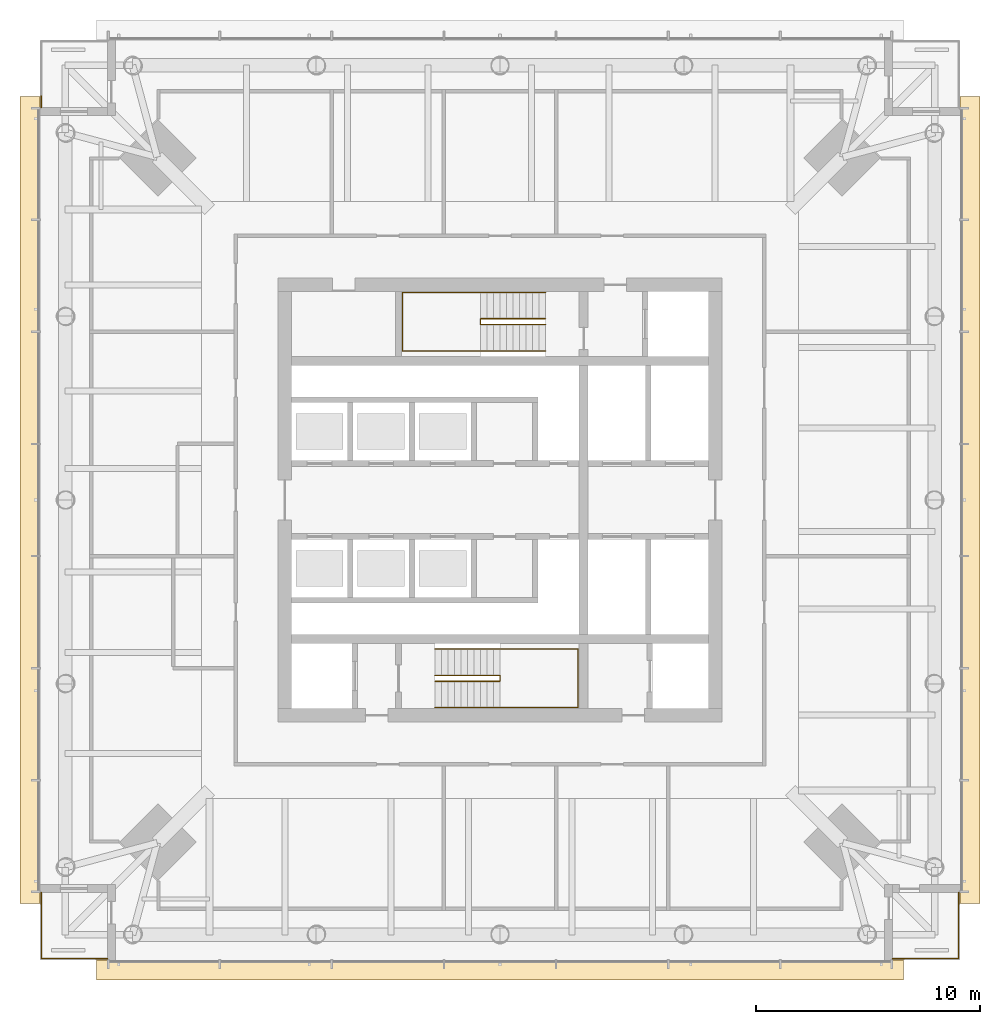
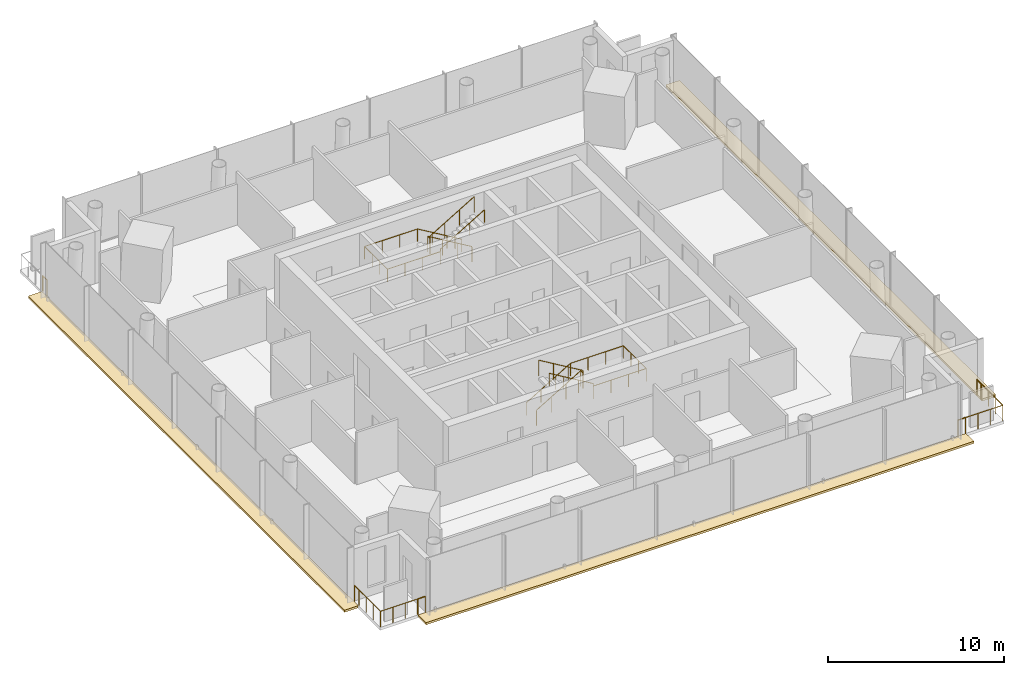
# One storey, part 10 of 12: 11 railings, 3 coverings.
"""IFC4 building model written with IfcOpenShell, lengths in metres."""

from ifc_helpers import new_model, si_unit, direction, frame, origin, origin_2d, place, context, subcontext, project, spatial, polyline, circle, outline, extrude, material, layer, layer_set, type_object, element, save


model = new_model("IFC4")

# Units and contexts
model_context = context("Model", 3, precision=1e-05, world=origin(), true_north=direction((0.0, 1.0)))
body_context = subcontext(model_context, "Body", "Model", "MODEL_VIEW")
ifc_project = project(units=[si_unit("LENGTHUNIT", "METRE"), si_unit("AREAUNIT", "SQUARE_METRE"), si_unit("VOLUMEUNIT", "CUBIC_METRE"), si_unit("PLANEANGLEUNIT", "RADIAN"), si_unit("MASSUNIT", "GRAM", prefix="KILO")], contexts=[model_context])

# Site, building, storey
site_placement = place(None, origin())
site = spatial("IfcSite", under=ifc_project, at=site_placement, CompositionType="ELEMENT")
building_placement = place(site_placement, origin())
building = spatial("IfcBuilding", under=site, at=building_placement, Name="Ostroluk Exchange", CompositionType="ELEMENT")
storey_placement = place(building_placement, frame((0.0, 0.0, 165.39990234375)))
storey = spatial("IfcBuildingStorey", under=building, at=storey_placement, Name="L42", CompositionType="ELEMENT", Elevation=165.39990234375)

# Railings
ifc_material_1 = material(Name="Stainless steel", Category="steel")
railing_type_1 = type_object("IfcRailingType", Name="Guard 1100 stainless steel", PredefinedType="GUARDRAIL", material=ifc_material_1)
railing_1_placement = place(storey_placement, frame((63.0, 25.550048828125, 0.0)))
element("IfcRailing", 1, at=railing_1_placement, inside=storey, type_object=railing_type_1, Name="Office tower SE balcony guard L42", PredefinedType="GUARDRAIL", context=body_context, shape_type="SweptSolid", body=[
    extrude(circle(Radius=0.02392578125, at=origin_2d()), frame((0.0, 0.0, 1.076171875), z_axis=(1.0, 0.0, 0.0), x_axis=(0.0, 1.0, 0.0)), (0.0, 0.0, 1.0), 2.449951171875),
    extrude(circle(Radius=0.02392578125, at=origin_2d()), frame((2.449951171875, 0.0, 1.076171875), z_axis=(0.0, 1.0, 0.0), x_axis=(-1.0, 0.0, 0.0)), (0.0, 0.0, 1.0), 2.449951171875),
    extrude(circle(Radius=0.02099609375, at=origin_2d()), origin(), (0.0, 0.0, 1.0), 1.052001953125),
    extrude(circle(Radius=0.02099609375, at=origin_2d()), frame((0.816650390625, 0.0, 0.0)), (0.0, 0.0, 1.0), 1.052001953125),
    extrude(circle(Radius=0.02099609375, at=origin_2d()), frame((1.63330078125, 0.0, 0.0)), (0.0, 0.0, 1.0), 1.052001953125),
    extrude(circle(Radius=0.02099609375, at=origin_2d()), frame((2.449951171875, 0.0, 0.0)), (0.0, 0.0, 1.0), 1.052001953125),
    extrude(circle(Radius=0.02099609375, at=origin_2d()), frame((2.449951171875, 0.816650390625, 0.0)), (0.0, 0.0, 1.0), 1.052001953125),
    extrude(circle(Radius=0.02099609375, at=origin_2d()), frame((2.449951171875, 1.63330078125, 0.0)), (0.0, 0.0, 1.0), 1.052001953125),
    extrude(circle(Radius=0.02099609375, at=origin_2d()), frame((2.449951171875, 2.449951171875, 0.0)), (0.0, 0.0, 1.0), 1.052001953125),
])
railing_2_placement = place(storey_placement, frame((27.0, 25.550048828125, 0.0)))
element("IfcRailing", 2, at=railing_2_placement, inside=storey, type_object=railing_type_1, Name="Office tower SW balcony guard L42", PredefinedType="GUARDRAIL", context=body_context, shape_type="SweptSolid", body=[
    extrude(circle(Radius=0.02392578125, at=origin_2d()), frame((0.0, 0.0, 1.076171875), z_axis=(-1.0, 0.0, 0.0), x_axis=(0.0, -1.0, 0.0)), (0.0, 0.0, 1.0), 2.449951171875),
    extrude(circle(Radius=0.02392578125, at=origin_2d()), frame((-2.449951171875, 0.0, 1.076171875), z_axis=(0.0, 1.0, 0.0), x_axis=(-1.0, 0.0, 0.0)), (0.0, 0.0, 1.0), 2.449951171875),
    extrude(circle(Radius=0.02099609375, at=origin_2d()), origin(), (0.0, 0.0, 1.0), 1.052001953125),
    extrude(circle(Radius=0.02099609375, at=origin_2d()), frame((-0.816650390625, 0.0, 0.0)), (0.0, 0.0, 1.0), 1.052001953125),
    extrude(circle(Radius=0.02099609375, at=origin_2d()), frame((-1.63330078125, 0.0, 0.0)), (0.0, 0.0, 1.0), 1.052001953125),
    extrude(circle(Radius=0.02099609375, at=origin_2d()), frame((-2.449951171875, 0.0, 0.0)), (0.0, 0.0, 1.0), 1.052001953125),
    extrude(circle(Radius=0.02099609375, at=origin_2d()), frame((-2.449951171875, 0.816650390625, 0.0)), (0.0, 0.0, 1.0), 1.052001953125),
    extrude(circle(Radius=0.02099609375, at=origin_2d()), frame((-2.449951171875, 1.63330078125, 0.0)), (0.0, 0.0, 1.0), 1.052001953125),
    extrude(circle(Radius=0.02099609375, at=origin_2d()), frame((-2.449951171875, 2.449951171875, 0.0)), (0.0, 0.0, 1.0), 1.052001953125),
])
ifc_material_2 = material(Name="Stainless steel", Category="steel")
railing_type_2 = type_object("IfcRailingType", Name="Lockable maintenance gate 1100", PredefinedType="GUARDRAIL", material=ifc_material_2)
railing_3_placement = place(storey_placement, frame((62.5, 25.550048828125, 0.0)))
element("IfcRailing", 3, at=railing_3_placement, inside=storey, type_object=railing_type_2, Name="Lockable maintenance gate T1 L42 SE", PredefinedType="GUARDRAIL", context=body_context, shape_type="SweptSolid", body=[
    extrude(circle(Radius=0.02392578125, at=origin_2d()), frame((0.0, 0.0, 1.076171875), z_axis=(1.0, 0.0, 0.0), x_axis=(0.0, 1.0, 0.0)), (0.0, 0.0, 1.0), 0.5),
    extrude(circle(Radius=0.02099609375, at=origin_2d()), origin(), (0.0, 0.0, 1.0), 1.052001953125),
    extrude(circle(Radius=0.02099609375, at=origin_2d()), frame((0.5, 0.0, 0.0)), (0.0, 0.0, 1.0), 1.052001953125),
])
railing_4_placement = place(storey_placement, frame((65.449951171875, 28.0, 0.0)))
element("IfcRailing", 4, at=railing_4_placement, inside=storey, type_object=railing_type_2, Name="Lockable maintenance gate T1 L42 SE", PredefinedType="GUARDRAIL", context=body_context, shape_type="SweptSolid", body=[
    extrude(circle(Radius=0.02392578125, at=origin_2d()), frame((0.0, 0.0, 1.076171875), z_axis=(0.0, 1.0, 0.0), x_axis=(-1.0, 0.0, 0.0)), (0.0, 0.0, 1.0), 0.5),
    extrude(circle(Radius=0.02099609375, at=origin_2d()), origin(), (0.0, 0.0, 1.0), 1.052001953125),
    extrude(circle(Radius=0.02099609375, at=origin_2d()), frame((0.0, 0.5, 0.0)), (0.0, 0.0, 1.0), 1.052001953125),
])
railing_5_placement = place(storey_placement, frame((24.550048828125, 64.0, 0.0)))
element("IfcRailing", 5, at=railing_5_placement, inside=storey, type_object=railing_type_2, Name="Lockable maintenance gate T1 L42 NW", PredefinedType="GUARDRAIL", context=body_context, shape_type="SweptSolid", body=[
    extrude(circle(Radius=0.02392578125, at=origin_2d()), frame((0.0, 0.0, 1.076171875), z_axis=(0.0, -1.0, 0.0), x_axis=(1.0, 0.0, 0.0)), (0.0, 0.0, 1.0), 0.5),
    extrude(circle(Radius=0.02099609375, at=origin_2d()), origin(), (0.0, 0.0, 1.0), 1.052001953125),
    extrude(circle(Radius=0.02099609375, at=origin_2d()), frame((0.0, -0.5, 0.0)), (0.0, 0.0, 1.0), 1.052001953125),
])
railing_6_placement = place(storey_placement, frame((27.5, 25.550048828125, 0.0)))
element("IfcRailing", 6, at=railing_6_placement, inside=storey, type_object=railing_type_2, Name="Lockable maintenance gate T1 L42 SW", PredefinedType="GUARDRAIL", context=body_context, shape_type="SweptSolid", body=[
    extrude(circle(Radius=0.02392578125, at=origin_2d()), frame((0.0, 0.0, 1.076171875), z_axis=(-1.0, 0.0, 0.0), x_axis=(0.0, -1.0, 0.0)), (0.0, 0.0, 1.0), 0.5),
    extrude(circle(Radius=0.02099609375, at=origin_2d()), origin(), (0.0, 0.0, 1.0), 1.052001953125),
    extrude(circle(Radius=0.02099609375, at=origin_2d()), frame((-0.5, 0.0, 0.0)), (0.0, 0.0, 1.0), 1.052001953125),
])
railing_7_placement = place(storey_placement, frame((24.550048828125, 28.0, 0.0)))
element("IfcRailing", 7, at=railing_7_placement, inside=storey, type_object=railing_type_2, Name="Lockable maintenance gate T1 L42 SW", PredefinedType="GUARDRAIL", context=body_context, shape_type="SweptSolid", body=[
    extrude(circle(Radius=0.02392578125, at=origin_2d()), frame((0.0, 0.0, 1.076171875), z_axis=(0.0, 1.0, 0.0), x_axis=(-1.0, 0.0, 0.0)), (0.0, 0.0, 1.0), 0.5),
    extrude(circle(Radius=0.02099609375, at=origin_2d()), origin(), (0.0, 0.0, 1.0), 1.052001953125),
    extrude(circle(Radius=0.02099609375, at=origin_2d()), frame((0.0, 0.5, 0.0)), (0.0, 0.0, 1.0), 1.052001953125),
])

# Coverings
ifc_material_3 = material(Name="Insulated steel roof deck with membrane, laid to falls, aluminium coping", Category="steel")
ifc_layer = layer(ifc_material_3, 0.14990234375)
ifc_layer_set = layer_set([ifc_layer], Name="Setback maintenance roof")
covering_type = type_object("IfcCoveringType", Name="Setback maintenance roof", PredefinedType="ROOFING", material=ifc_layer_set)
covering_1_placement = place(storey_placement, frame((0.0, 0.0, -0.14990234375)))
element("IfcCovering", 8, at=covering_1_placement, inside=storey, type_object=covering_type, Name="Maintenance roof, setback L42 south", PredefinedType="ROOFING", context=body_context, shape_type="SweptSolid", body=[
    extrude(outline(polyline([(27.0, 25.5), (63.0, 25.5), (63.0, 24.60009765625), (27.0, 24.60009765625), (27.0, 25.5)])), origin(), (0.0, 0.0, 1.0), 0.14990234375),
])
covering_2_placement = place(storey_placement, frame((0.0, 0.0, -0.14990234375)))
element("IfcCovering", 9, at=covering_2_placement, inside=storey, type_object=covering_type, Name="Maintenance roof, setback L42 east", PredefinedType="ROOFING", context=body_context, shape_type="SweptSolid", body=[
    extrude(outline(polyline([(65.5, 64.0), (66.39990234375, 64.0), (66.39990234375, 28.0), (65.5, 28.0), (65.5, 64.0)])), origin(), (0.0, 0.0, 1.0), 0.14990234375),
])
covering_3_placement = place(storey_placement, frame((0.0, 0.0, -0.14990234375)))
element("IfcCovering", 10, at=covering_3_placement, inside=storey, type_object=covering_type, Name="Maintenance roof, setback L42 west", PredefinedType="ROOFING", context=body_context, shape_type="SweptSolid", body=[
    extrude(outline(polyline([(23.60009765625, 64.0), (24.5, 64.0), (24.5, 28.0), (23.60009765625, 28.0), (23.60009765625, 64.0)])), origin(), (0.0, 0.0, 1.0), 0.14990234375),
])

# Railings
ifc_material_4 = material(Name="Steel S355", Category="steel")
railing_type_3 = type_object("IfcRailingType", Name="Stair guard 1100", PredefinedType="GUARDRAIL", material=ifc_material_4)
railing_8_placement = place(storey_placement, frame((42.10009765625, 38.179931640625, 0.1728515625)))
element("IfcRailing", 11, at=railing_8_placement, inside=storey, type_object=railing_type_3, Name="Stair T1-S1 guard L42", PredefinedType="GUARDRAIL", context=body_context, shape_type="SweptSolid", body=[
    extrude(circle(Radius=0.02392578125, at=origin_2d()), frame((0.0, 0.0, 1.076171875), z_axis=(0.859141464434, 0.0, 0.511738159696), x_axis=(0.0, 1.0, 0.0)), (0.0, 0.0, 1.0), 3.375244140625),
    extrude(circle(Radius=0.02392578125, at=origin_2d()), frame((2.89990234375, 0.0, 2.80322265625), z_axis=(0.0, -1.0, 0.0), x_axis=(1.0, 0.0, 0.0)), (0.0, 0.0, 1.0), 0.260009765625),
    extrude(circle(Radius=0.02392578125, at=origin_2d()), frame((2.89990234375, -0.260009765625, 2.80322265625), z_axis=(0.0, 0.0, 1.0), x_axis=(1.0, 0.0, 0.0)), (0.0, 0.0, 1.0), 0.172607421875),
    extrude(circle(Radius=0.02392578125, at=origin_2d()), frame((2.89990234375, -0.260009765625, 2.97607421875), z_axis=(-0.859141464434, 0.0, 0.511738159696), x_axis=(0.0, -1.0, 0.0)), (0.0, 0.0, 1.0), 3.375244140625),
    extrude(circle(Radius=0.02099609375, at=origin_2d()), origin(), (0.0, 0.0, 1.0), 1.052001953125),
    extrude(circle(Radius=0.02099609375, at=origin_2d()), frame((0.966552734375, 0.0, 0.57568359375)), (0.0, 0.0, 1.0), 1.052001953125),
    extrude(circle(Radius=0.02099609375, at=origin_2d()), frame((1.933349609375, 0.0, 1.151611328125)), (0.0, 0.0, 1.0), 1.052001953125),
    extrude(circle(Radius=0.02099609375, at=origin_2d()), frame((2.89990234375, 0.0, 1.727294921875)), (0.0, 0.0, 1.0), 1.052001953125),
    extrude(circle(Radius=0.02099609375, at=origin_2d()), frame((2.89990234375, -0.260009765625, 1.727294921875)), (0.0, 0.0, 1.0), 1.052001953125),
    extrude(circle(Radius=0.02099609375, at=origin_2d()), frame((2.89990234375, -0.260009765625, 1.89990234375)), (0.0, 0.0, 1.0), 1.052001953125),
    extrude(circle(Radius=0.02099609375, at=origin_2d()), frame((1.933349609375, -0.260009765625, 2.4755859375)), (0.0, 0.0, 1.0), 1.052001953125),
    extrude(circle(Radius=0.02099609375, at=origin_2d()), frame((0.966552734375, -0.260009765625, 3.051513671875)), (0.0, 0.0, 1.0), 1.052001953125),
    extrude(circle(Radius=0.02099609375, at=origin_2d()), frame((0.0, -0.260009765625, 3.627197265625)), (0.0, 0.0, 1.0), 1.052001953125),
])
railing_9_placement = place(storey_placement, frame((47.030029296875, 54.080078125, 0.1728515625)))
element("IfcRailing", 12, at=railing_9_placement, inside=storey, type_object=railing_type_3, Name="Stair T1-S2 guard L42", PredefinedType="GUARDRAIL", context=body_context, shape_type="SweptSolid", body=[
    extrude(circle(Radius=0.02392578125, at=origin_2d()), frame((0.0, 0.0, 1.076171875), z_axis=(-0.859160404282, 0.0, 0.51170636083), x_axis=(0.0, -1.0, 0.0)), (0.0, 0.0, 1.0), 3.37548828125),
    extrude(circle(Radius=0.02392578125, at=origin_2d()), frame((-2.900146484375, 0.0, 2.80322265625), z_axis=(0.0, -1.0, 0.0), x_axis=(1.0, 0.0, 0.0)), (0.0, 0.0, 1.0), 0.260009765625),
    extrude(circle(Radius=0.02392578125, at=origin_2d()), frame((-2.900146484375, -0.260009765625, 2.80322265625), z_axis=(0.0, 0.0, 1.0), x_axis=(1.0, 0.0, 0.0)), (0.0, 0.0, 1.0), 0.172607421875),
    extrude(circle(Radius=0.02392578125, at=origin_2d()), frame((-2.900146484375, -0.260009765625, 2.97607421875), z_axis=(0.859160404282, 0.0, 0.51170636083), x_axis=(0.0, 1.0, 0.0)), (0.0, 0.0, 1.0), 3.37548828125),
    extrude(circle(Radius=0.02099609375, at=origin_2d()), origin(), (0.0, 0.0, 1.0), 1.052001953125),
    extrude(circle(Radius=0.02099609375, at=origin_2d()), frame((-0.966796875, 0.0, 0.57568359375)), (0.0, 0.0, 1.0), 1.052001953125),
    extrude(circle(Radius=0.02099609375, at=origin_2d()), frame((-1.933349609375, 0.0, 1.151611328125)), (0.0, 0.0, 1.0), 1.052001953125),
    extrude(circle(Radius=0.02099609375, at=origin_2d()), frame((-2.900146484375, 0.0, 1.727294921875)), (0.0, 0.0, 1.0), 1.052001953125),
    extrude(circle(Radius=0.02099609375, at=origin_2d()), frame((-2.900146484375, -0.260009765625, 1.727294921875)), (0.0, 0.0, 1.0), 1.052001953125),
    extrude(circle(Radius=0.02099609375, at=origin_2d()), frame((-2.900146484375, -0.260009765625, 1.89990234375)), (0.0, 0.0, 1.0), 1.052001953125),
    extrude(circle(Radius=0.02099609375, at=origin_2d()), frame((-1.933349609375, -0.260009765625, 2.4755859375)), (0.0, 0.0, 1.0), 1.052001953125),
    extrude(circle(Radius=0.02099609375, at=origin_2d()), frame((-0.966796875, -0.260009765625, 3.051513671875)), (0.0, 0.0, 1.0), 1.052001953125),
    extrude(circle(Radius=0.02099609375, at=origin_2d()), frame((0.0, -0.260009765625, 3.627197265625)), (0.0, 0.0, 1.0), 1.052001953125),
])
ifc_material_5 = material(Name="Stainless steel", Category="steel")
railing_type_4 = type_object("IfcRailingType", Name="Stair handrail 900", PredefinedType="HANDRAIL", material=ifc_material_5)
railing_10_placement = place(storey_placement, frame((42.10009765625, 39.35009765625, 0.1728515625)))
element("IfcRailing", 13, at=railing_10_placement, inside=storey, type_object=railing_type_4, Name="Stair T1-S1 handrail L42", PredefinedType="HANDRAIL", context=body_context, shape_type="SweptSolid", body=[
    extrude(circle(Radius=0.02392578125, at=origin_2d()), frame((0.0, 0.0, 0.8759765625), z_axis=(0.859141464434, 0.0, 0.511738159696), x_axis=(0.0, 1.0, 0.0)), (0.0, 0.0, 1.0), 3.375244140625),
    extrude(circle(Radius=0.02392578125, at=origin_2d()), frame((2.89990234375, 0.0, 2.60302734375), z_axis=(1.0, 0.0, 0.0), x_axis=(0.0, 1.0, 0.0)), (0.0, 0.0, 1.0), 3.47998046875),
    extrude(circle(Radius=0.02392578125, at=origin_2d()), frame((6.3798828125, 0.0, 2.60302734375), z_axis=(0.0, -1.0, 0.0), x_axis=(1.0, 0.0, 0.0)), (0.0, 0.0, 1.0), 2.60009765625),
    extrude(circle(Radius=0.02392578125, at=origin_2d()), frame((6.3798828125, -2.60009765625, 2.60302734375), z_axis=(-1.0, 0.0, 0.0), x_axis=(0.0, -1.0, 0.0)), (0.0, 0.0, 1.0), 3.47998046875),
    extrude(circle(Radius=0.02392578125, at=origin_2d()), frame((2.89990234375, -2.60009765625, 2.60302734375), z_axis=(0.0, 0.0, 1.0), x_axis=(1.0, 0.0, 0.0)), (0.0, 0.0, 1.0), 0.172607421875),
    extrude(circle(Radius=0.02392578125, at=origin_2d()), frame((2.89990234375, -2.60009765625, 2.77587890625), z_axis=(-0.859141464434, 0.0, 0.511738159696), x_axis=(0.0, -1.0, 0.0)), (0.0, 0.0, 1.0), 3.375244140625),
    extrude(circle(Radius=0.02099609375, at=origin_2d()), origin(), (0.0, 0.0, 1.0), 0.851806640625),
    extrude(circle(Radius=0.02099609375, at=origin_2d()), frame((0.966552734375, 0.0, 0.57568359375)), (0.0, 0.0, 1.0), 0.851806640625),
    extrude(circle(Radius=0.02099609375, at=origin_2d()), frame((1.933349609375, 0.0, 1.151611328125)), (0.0, 0.0, 1.0), 0.851806640625),
    extrude(circle(Radius=0.02099609375, at=origin_2d()), frame((2.89990234375, 0.0, 1.727294921875)), (0.0, 0.0, 1.0), 0.851806640625),
    extrude(circle(Radius=0.02099609375, at=origin_2d()), frame((4.059814453125, 0.0, 1.727294921875)), (0.0, 0.0, 1.0), 0.851806640625),
    extrude(circle(Radius=0.02099609375, at=origin_2d()), frame((5.219970703125, 0.0, 1.727294921875)), (0.0, 0.0, 1.0), 0.851806640625),
    extrude(circle(Radius=0.02099609375, at=origin_2d()), frame((6.3798828125, 0.0, 1.727294921875)), (0.0, 0.0, 1.0), 0.851806640625),
    extrude(circle(Radius=0.02099609375, at=origin_2d()), frame((6.3798828125, -0.86669921875, 1.727294921875)), (0.0, 0.0, 1.0), 0.851806640625),
    extrude(circle(Radius=0.02099609375, at=origin_2d()), frame((6.3798828125, -1.7333984375, 1.727294921875)), (0.0, 0.0, 1.0), 0.851806640625),
    extrude(circle(Radius=0.02099609375, at=origin_2d()), frame((6.3798828125, -2.60009765625, 1.727294921875)), (0.0, 0.0, 1.0), 0.851806640625),
    extrude(circle(Radius=0.02099609375, at=origin_2d()), frame((5.219970703125, -2.60009765625, 1.727294921875)), (0.0, 0.0, 1.0), 0.851806640625),
    extrude(circle(Radius=0.02099609375, at=origin_2d()), frame((4.059814453125, -2.60009765625, 1.727294921875)), (0.0, 0.0, 1.0), 0.851806640625),
    extrude(circle(Radius=0.02099609375, at=origin_2d()), frame((2.89990234375, -2.60009765625, 1.727294921875)), (0.0, 0.0, 1.0), 0.851806640625),
    extrude(circle(Radius=0.02099609375, at=origin_2d()), frame((2.89990234375, -2.60009765625, 1.89990234375)), (0.0, 0.0, 1.0), 0.851806640625),
    extrude(circle(Radius=0.02099609375, at=origin_2d()), frame((1.933349609375, -2.60009765625, 2.4755859375)), (0.0, 0.0, 1.0), 0.851806640625),
    extrude(circle(Radius=0.02099609375, at=origin_2d()), frame((0.966552734375, -2.60009765625, 3.051513671875)), (0.0, 0.0, 1.0), 0.851806640625),
    extrude(circle(Radius=0.02099609375, at=origin_2d()), frame((0.0, -2.60009765625, 3.627197265625)), (0.0, 0.0, 1.0), 0.851806640625),
])
railing_11_placement = place(storey_placement, frame((47.030029296875, 55.25, 0.1728515625)))
element("IfcRailing", 14, at=railing_11_placement, inside=storey, type_object=railing_type_4, Name="Stair T1-S2 handrail L42", PredefinedType="HANDRAIL", context=body_context, shape_type="SweptSolid", body=[
    extrude(circle(Radius=0.02392578125, at=origin_2d()), frame((0.0, 0.0, 0.8759765625), z_axis=(-0.859160404282, 0.0, 0.51170636083), x_axis=(0.0, -1.0, 0.0)), (0.0, 0.0, 1.0), 3.37548828125),
    extrude(circle(Radius=0.02392578125, at=origin_2d()), frame((-2.900146484375, 0.0, 2.60302734375), z_axis=(-1.0, 0.0, 0.0), x_axis=(0.0, -1.0, 0.0)), (0.0, 0.0, 1.0), 3.47998046875),
    extrude(circle(Radius=0.02392578125, at=origin_2d()), frame((-6.380126953125, 0.0, 2.60302734375), z_axis=(0.0, -1.0, 0.0), x_axis=(1.0, 0.0, 0.0)), (0.0, 0.0, 1.0), 2.60009765625),
    extrude(circle(Radius=0.02392578125, at=origin_2d()), frame((-6.380126953125, -2.60009765625, 2.60302734375), z_axis=(1.0, 0.0, 0.0), x_axis=(0.0, 1.0, 0.0)), (0.0, 0.0, 1.0), 3.47998046875),
    extrude(circle(Radius=0.02392578125, at=origin_2d()), frame((-2.900146484375, -2.60009765625, 2.60302734375), z_axis=(0.0, 0.0, 1.0), x_axis=(1.0, 0.0, 0.0)), (0.0, 0.0, 1.0), 0.172607421875),
    extrude(circle(Radius=0.02392578125, at=origin_2d()), frame((-2.900146484375, -2.60009765625, 2.77587890625), z_axis=(0.859160404282, 0.0, 0.51170636083), x_axis=(0.0, 1.0, 0.0)), (0.0, 0.0, 1.0), 3.37548828125),
    extrude(circle(Radius=0.02099609375, at=origin_2d()), origin(), (0.0, 0.0, 1.0), 0.851806640625),
    extrude(circle(Radius=0.02099609375, at=origin_2d()), frame((-0.966796875, 0.0, 0.57568359375)), (0.0, 0.0, 1.0), 0.851806640625),
    extrude(circle(Radius=0.02099609375, at=origin_2d()), frame((-1.933349609375, 0.0, 1.151611328125)), (0.0, 0.0, 1.0), 0.851806640625),
    extrude(circle(Radius=0.02099609375, at=origin_2d()), frame((-2.900146484375, 0.0, 1.727294921875)), (0.0, 0.0, 1.0), 0.851806640625),
    extrude(circle(Radius=0.02099609375, at=origin_2d()), frame((-4.06005859375, 0.0, 1.727294921875)), (0.0, 0.0, 1.0), 0.851806640625),
    extrude(circle(Radius=0.02099609375, at=origin_2d()), frame((-5.22021484375, 0.0, 1.727294921875)), (0.0, 0.0, 1.0), 0.851806640625),
    extrude(circle(Radius=0.02099609375, at=origin_2d()), frame((-6.380126953125, 0.0, 1.727294921875)), (0.0, 0.0, 1.0), 0.851806640625),
    extrude(circle(Radius=0.02099609375, at=origin_2d()), frame((-6.380126953125, -0.86669921875, 1.727294921875)), (0.0, 0.0, 1.0), 0.851806640625),
    extrude(circle(Radius=0.02099609375, at=origin_2d()), frame((-6.380126953125, -1.7333984375, 1.727294921875)), (0.0, 0.0, 1.0), 0.851806640625),
    extrude(circle(Radius=0.02099609375, at=origin_2d()), frame((-6.380126953125, -2.60009765625, 1.727294921875)), (0.0, 0.0, 1.0), 0.851806640625),
    extrude(circle(Radius=0.02099609375, at=origin_2d()), frame((-5.22021484375, -2.60009765625, 1.727294921875)), (0.0, 0.0, 1.0), 0.851806640625),
    extrude(circle(Radius=0.02099609375, at=origin_2d()), frame((-4.06005859375, -2.60009765625, 1.727294921875)), (0.0, 0.0, 1.0), 0.851806640625),
    extrude(circle(Radius=0.02099609375, at=origin_2d()), frame((-2.900146484375, -2.60009765625, 1.727294921875)), (0.0, 0.0, 1.0), 0.851806640625),
    extrude(circle(Radius=0.02099609375, at=origin_2d()), frame((-2.900146484375, -2.60009765625, 1.89990234375)), (0.0, 0.0, 1.0), 0.851806640625),
    extrude(circle(Radius=0.02099609375, at=origin_2d()), frame((-1.933349609375, -2.60009765625, 2.4755859375)), (0.0, 0.0, 1.0), 0.851806640625),
    extrude(circle(Radius=0.02099609375, at=origin_2d()), frame((-0.966796875, -2.60009765625, 3.051513671875)), (0.0, 0.0, 1.0), 0.851806640625),
    extrude(circle(Radius=0.02099609375, at=origin_2d()), frame((0.0, -2.60009765625, 3.627197265625)), (0.0, 0.0, 1.0), 0.851806640625),
])

save(model, "model.ifc")
